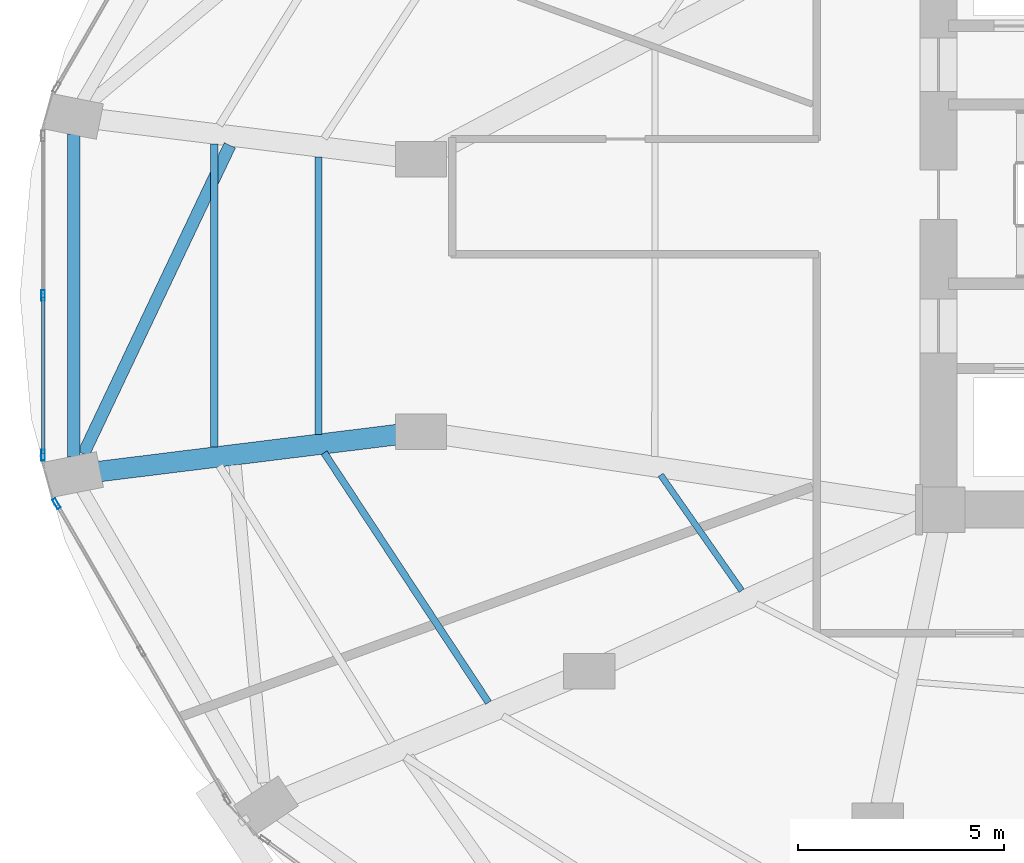
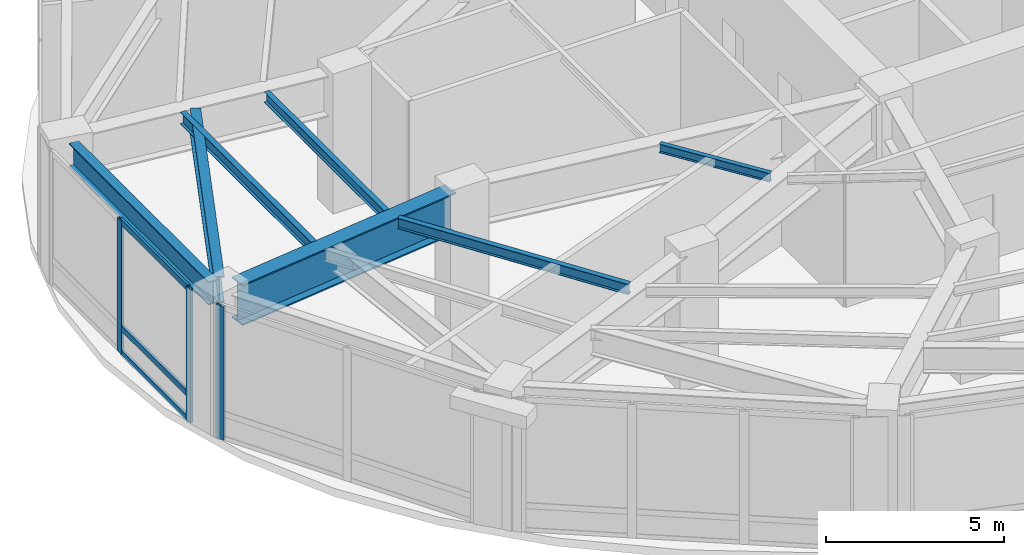
# One storey, part 6 of 24: 7 beams, 6 members, 2 elements without a shape of their own.
"""IFC4 building model written with IfcOpenShell, lengths in metres."""

import ifcopenshell
import ifcopenshell.guid

model = None  # the IFC model being written
_history = None  # IfcOwnerHistory: only IFC2X3 demands one
_inside = {}  # id of a spatial element -> (the spatial element, [elements in it])
_under = {}  # id of a project, library or spatial element -> (it, [spatial elements below it])
_declared = {}  # id of a project -> (the project, [libraries it declares])
_typed = {}  # id of a type object -> (the type object, [elements of that type])
_made_of = {}  # id of a material, layer set ... -> (it, [elements and type objects made of it])


def new_model(schema):
    """Start an empty IFC model of exactly this schema.

    Asked for "IFC4X3", IfcOpenShell would pick the latest addendum, in which some entities
    have other attributes; the version numbers below select the first issue.
    IFC2X3 requires an IfcOwnerHistory on every rooted entity: one is made here for all.
    """
    global model, _history
    if schema == "IFC4X3":
        model = ifcopenshell.file(schema_version=(4, 3, 0, 0))
    else:
        model = ifcopenshell.file(schema=schema)
    _inside.clear()
    _under.clear()
    _declared.clear()
    _typed.clear()
    _made_of.clear()
    _history = None
    if model.schema == "IFC2X3":
        org = make("IfcOrganization", Name="unknown")
        user = make(
            "IfcPersonAndOrganization",
            ThePerson=make("IfcPerson", FamilyName="unknown"),
            TheOrganization=org,
        )
        app = make(
            "IfcApplication",
            ApplicationDeveloper=org,
            Version="unknown",
            ApplicationFullName="unknown",
            ApplicationIdentifier="unknown",
        )
        _history = make(
            "IfcOwnerHistory",
            OwningUser=user,
            OwningApplication=app,
            ChangeAction="ADDED",
            CreationDate=0,
        )
    return model


def make(cls, **values):
    """One entity of the class cls with the attributes given. An attribute that is None is left unset."""
    return model.create_entity(
        cls, **{name: value for name, value in values.items() if value is not None}
    )


def rooted(cls, **values):
    """An entity with a GlobalId (a new one), such as an element, a storey or a relation."""
    return make(cls, GlobalId=ifcopenshell.guid.new(), OwnerHistory=_history, **values)


def si_unit(unit_type, name, prefix=None):
    """IfcSIUnit, for example si_unit("LENGTHUNIT", "METRE", prefix="MILLI")."""
    return make("IfcSIUnit", UnitType=unit_type, Prefix=prefix, Name=name)


def assignment(units):
    """IfcUnitAssignment: the units of a project."""
    return None if units is None else make("IfcUnitAssignment", Units=units)


def point(xyz):
    """IfcCartesianPoint."""
    return None if xyz is None else make("IfcCartesianPoint", Coordinates=xyz)


def direction(xyz):
    """IfcDirection."""
    return None if xyz is None else make("IfcDirection", DirectionRatios=xyz)


def frame(location, z_axis=None, x_axis=None):
    """IfcAxis2Placement3D, a coordinate frame: its origin and axes. An axis left out is left unset."""
    return make(
        "IfcAxis2Placement3D",
        Location=point(location),
        Axis=direction(z_axis),
        RefDirection=direction(x_axis),
    )


def frame_2d(location, x_axis=None):
    """IfcAxis2Placement2D, a coordinate frame in the plane: its origin and x axis."""
    return make(
        "IfcAxis2Placement2D", Location=point(location), RefDirection=direction(x_axis)
    )


def origin():
    """The frame at (0, 0, 0) with its axes left unset."""
    return frame((0.0, 0.0, 0.0))


def origin_2d():
    """The frame at (0, 0) in the plane with its x axis left unset."""
    return frame_2d((0.0, 0.0))


def place(relative_to, where):
    """IfcLocalPlacement: puts the frame where relative to a parent placement (None: the world)."""
    return make(
        "IfcLocalPlacement", PlacementRelTo=relative_to, RelativePlacement=where
    )


def context(
    kind, dimensions, precision=None, world=None, true_north=None, identifier=None
):
    """IfcGeometricRepresentationContext, for example the 3D "Model" context."""
    return make(
        "IfcGeometricRepresentationContext",
        ContextIdentifier=identifier,
        ContextType=kind,
        CoordinateSpaceDimension=dimensions,
        Precision=precision,
        WorldCoordinateSystem=world,
        TrueNorth=true_north,
    )


def subcontext(parent, identifier, kind, view, scale=None):
    """IfcGeometricRepresentationSubContext, for example "Body" below "Model"."""
    return make(
        "IfcGeometricRepresentationSubContext",
        ContextIdentifier=identifier,
        ContextType=kind,
        ParentContext=parent,
        TargetScale=scale,
        TargetView=view,
    )


def project(units=None, contexts=None):
    """IfcProject with its units and contexts."""
    return rooted(
        "IfcProject",
        Name="project",
        RepresentationContexts=contexts,
        UnitsInContext=assignment(units),
    )


def spatial(cls, under=None, at=None, **own):
    """A site, building, storey or space (cls), placed at a placement, below another one or the project."""
    s = rooted(cls, ObjectPlacement=at, **own)
    if under is not None:
        _under.setdefault(under.id(), (under, []))[1].append(s)
    return s


def profile(cls, at=None, kind="AREA", **sizes):
    """A parametric profile (cls). Its sizes go by their IFC names, for example OverallWidth=200.0."""
    return make(cls, ProfileType=kind, Position=at, **sizes)


def hollow_rectangle(**sizes):
    """IfcRectangleHollowProfileDef."""
    return profile("IfcRectangleHollowProfileDef", **sizes)


def i_section(**sizes):
    """IfcIShapeProfileDef."""
    return profile("IfcIShapeProfileDef", **sizes)


def extrude(swept, where, along, depth):
    """IfcExtrudedAreaSolid: the profile swept, set in the frame where, extruded along a direction by depth."""
    return make(
        "IfcExtrudedAreaSolid",
        SweptArea=swept,
        Position=where,
        ExtrudedDirection=direction(along),
        Depth=depth,
    )


def shape(context_of_items, identifier, shape_type, items):
    """IfcShapeRepresentation: the items that make up one representation, for example the "Body"."""
    return make(
        "IfcShapeRepresentation",
        ContextOfItems=context_of_items,
        RepresentationIdentifier=identifier,
        RepresentationType=shape_type,
        Items=items,
    )


def material(Name=None, Category=None):
    """IfcMaterial."""
    return make("IfcMaterial", Name=Name, Category=Category)


def layer(
    of_material, thickness, ventilated=None, Name=None, Category=None, Priority=None
):
    """IfcMaterialLayer: one layer of a wall or slab, of a material (None: an air gap)."""
    return make(
        "IfcMaterialLayer",
        Material=of_material,
        LayerThickness=thickness,
        IsVentilated=ventilated,
        Name=Name,
        Category=Category,
        Priority=Priority,
    )


def layer_set(layers, Name=None):
    """IfcMaterialLayerSet."""
    return make("IfcMaterialLayerSet", MaterialLayers=layers, LayerSetName=Name)


def material_profile(
    of_material, cross_section, Name=None, Category=None, Priority=None
):
    """IfcMaterialProfile: a cross section and its material."""
    return make(
        "IfcMaterialProfile",
        Name=Name,
        Material=of_material,
        Profile=cross_section,
        Priority=Priority,
        Category=Category,
    )


def profile_set(profiles, Name=None, composite=None):
    """IfcMaterialProfileSet."""
    return make(
        "IfcMaterialProfileSet",
        Name=Name,
        MaterialProfiles=profiles,
        CompositeProfile=composite,
    )


def made_of(thing, what):
    """Note that an element or type object is made of a material, layer set ...; save() writes the relation."""
    if what is not None:
        _made_of.setdefault(what.id(), (what, []))[1].append(thing)
    return thing


def type_object(cls, material=None, **own):
    """A type object (cls), such as IfcWallType, which elements share."""
    return made_of(rooted(cls, **own), material)


def element(
    cls,
    number,
    at=None,
    inside=None,
    cuts=None,
    type_object=None,
    material=None,
    context=None,
    identifier="Body",
    shape_type=None,
    held_by="IfcProductDefinitionShape",
    body=None,
    shapes=None,
    **own,
):
    """One element of the class cls, such as IfcWall. Its Tag is "e" and its number.

    at: its placement. inside: the storey or other place that contains it. cuts: it is an
    opening in that element (IfcRelVoidsElement). A single representation is given by context,
    identifier, shape_type and body (its items); several are given by shapes. held_by: the class
    of the entity that holds the representations. save() writes the other relations.
    """
    e = rooted(cls, Tag="e%d" % number, ObjectPlacement=at, **own)
    if body is not None:
        shapes = [shape(context, identifier, shape_type, body)]
    if shapes is not None:
        e.Representation = make(held_by, Representations=shapes)
    if inside is not None:
        _inside.setdefault(inside.id(), (inside, []))[1].append(e)
    if cuts is not None:
        rooted(
            "IfcRelVoidsElement", RelatingBuildingElement=cuts, RelatedOpeningElement=e
        )
    if type_object is not None:
        _typed.setdefault(type_object.id(), (type_object, []))[1].append(e)
    return made_of(e, material)


def aggregate(whole, parts):
    """IfcRelAggregates: a whole, such as a stair, and the parts it consists of."""
    return rooted("IfcRelAggregates", RelatingObject=whole, RelatedObjects=parts)


def save(model, path):
    """Write the relations noted so far, then the file.

    IfcRelAggregates (storeys below a building ...), IfcRelContainedInSpatialStructure (elements
    in a storey), IfcRelDefinesByType, IfcRelAssociatesMaterial and IfcRelDeclares: one each for
    every whole, place, type object, material and project.
    """
    for whole, parts in _under.values():
        aggregate(whole, parts)
    for where, things in _inside.values():
        rooted(
            "IfcRelContainedInSpatialStructure",
            RelatedElements=things,
            RelatingStructure=where,
        )
    for kind, things in _typed.values():
        rooted("IfcRelDefinesByType", RelatedObjects=things, RelatingType=kind)
    for what, things in _made_of.values():
        rooted("IfcRelAssociatesMaterial", RelatedObjects=things, RelatingMaterial=what)
    for by, libraries in _declared.values():
        rooted("IfcRelDeclares", RelatingContext=by, RelatedDefinitions=libraries)
    model.write(path)


model = new_model("IFC4")

# Units and contexts
model_context = context("Model", 3, precision=1e-05, world=origin(), true_north=direction((0.0, 1.0)))
body_context = subcontext(model_context, "Body", "Model", "MODEL_VIEW")
ifc_project = project(units=[si_unit("LENGTHUNIT", "METRE"), si_unit("AREAUNIT", "SQUARE_METRE"), si_unit("VOLUMEUNIT", "CUBIC_METRE"), si_unit("PLANEANGLEUNIT", "RADIAN"), si_unit("MASSUNIT", "GRAM", prefix="KILO")], contexts=[model_context])

# Site, building, storey
site_placement = place(None, origin())
site = spatial("IfcSite", under=ifc_project, at=site_placement, CompositionType="ELEMENT")
building_placement = place(site_placement, origin())
building = spatial("IfcBuilding", under=site, at=building_placement, Name="Lazwardi Medical Tower", CompositionType="ELEMENT")
storey_placement = place(building_placement, frame((0.0, 0.0, 20.39990234375)))
storey = spatial("IfcBuildingStorey", under=building, at=storey_placement, Name="L04", CompositionType="ELEMENT", Elevation=20.39990234375)

# Beams
ifc_material_1 = material(Name="Steel S460", Category="steel")
ifc_material_profile_1 = material_profile(ifc_material_1, i_section(OverallWidth=0.300048828125, OverallDepth=0.89990234375, WebThickness=0.0185546875, FlangeThickness=0.034912109375, at=origin_2d()), Name="HEB 900")
ifc_profile_set_1 = profile_set([ifc_material_profile_1], Name="Steel S460")
beam_type_1 = type_object("IfcBeamType", Name="BM-HB-01", PredefinedType="BEAM", material=ifc_profile_set_1)
beam_1_placement = place(storey_placement, frame((9.094970703125, 29.246337890625, 4.130126953125), z_axis=(-0.428601464893, -0.903493654815, 0.0), x_axis=(0.903493654815, -0.428601464893, 0.0)))
element("IfcBeam", 1, at=beam_1_placement, inside=storey, type_object=beam_type_1, Name="Transfer girder tie HB-01 M12 L04", PredefinedType="BEAM", context=body_context, shape_type="SweptSolid", body=[
    extrude(i_section(OverallWidth=0.300048828125, OverallDepth=0.89990234375, WebThickness=0.0185546875, FlangeThickness=0.034912109375, at=origin_2d()), origin(), (0.0, 0.0, 1.0), 8.290771484375),
])
ifc_material_2 = material(Name="Steel S355", Category="steel")
ifc_material_profile_2 = material_profile(ifc_material_2, i_section(OverallWidth=0.300048828125, OverallDepth=0.800048828125, WebThickness=0.017578125, FlangeThickness=0.032958984375, at=origin_2d()), Name="HEB 800")
ifc_profile_set_2 = profile_set([ifc_material_profile_2], Name="Steel S355")
beam_type_2 = type_object("IfcBeamType", Name="BM-RB-P1", PredefinedType="BEAM", material=ifc_profile_set_2)
beam_2_placement = place(storey_placement, frame((5.301513671875, 29.5205078125, 4.18017578125), z_axis=(0.0, -1.0, 0.0), x_axis=(1.0, 0.0, 0.0)))
element("IfcBeam", 2, at=beam_2_placement, inside=storey, type_object=beam_type_2, Name="Ring beam RB-01 B12 L04", PredefinedType="BEAM", context=body_context, shape_type="SweptSolid", body=[
    extrude(i_section(OverallWidth=0.300048828125, OverallDepth=0.800048828125, WebThickness=0.017578125, FlangeThickness=0.032958984375, at=origin_2d()), origin(), (0.0, 0.0, 1.0), 7.841064453125),
])
ifc_material_profile_3 = material_profile(ifc_material_2, i_section(OverallWidth=0.179931640625, OverallDepth=0.39990234375, WebThickness=0.008544921875, FlangeThickness=0.013427734375, at=origin_2d()), Name="IPE 400")
ifc_profile_set_3 = profile_set([ifc_material_profile_3], Name="Steel S355")
beam_type_3 = type_object("IfcBeamType", Name="BM-SJ-01", PredefinedType="JOIST", material=ifc_profile_set_3)
beam_3_placement = place(storey_placement, frame((8.712890625, 29.283203125, 4.380126953125), z_axis=(0.0, -1.0, 0.0), x_axis=(1.0, 0.0, 0.0)))
element("IfcBeam", 3, at=beam_3_placement, inside=storey, type_object=beam_type_3, Name="Secondary joist SJ-01 RO1 B12 L04", PredefinedType="JOIST", context=body_context, shape_type="SweptSolid", body=[
    extrude(i_section(OverallWidth=0.179931640625, OverallDepth=0.39990234375, WebThickness=0.008544921875, FlangeThickness=0.013427734375, at=origin_2d()), origin(), (0.0, 0.0, 1.0), 7.3662109375),
])
ifc_material_profile_4 = material_profile(ifc_material_2, i_section(OverallWidth=0.169921875, OverallDepth=0.360107421875, WebThickness=0.008056640625, FlangeThickness=0.0126953125, at=origin_2d()), Name="IPE 360")
ifc_profile_set_4 = profile_set([ifc_material_profile_4], Name="Steel S355")
beam_type_4 = type_object("IfcBeamType", Name="BM-SJ-02", PredefinedType="JOIST", material=ifc_profile_set_4)
beam_4_placement = place(storey_placement, frame((11.25048828125, 28.968994140625, 4.400146484375), z_axis=(0.0, -1.0, 0.0), x_axis=(1.0, 0.0, 0.0)))
element("IfcBeam", 4, at=beam_4_placement, inside=storey, type_object=beam_type_4, Name="Secondary joist SJ-02 RO2 B12 L04", PredefinedType="JOIST", context=body_context, shape_type="SweptSolid", body=[
    extrude(i_section(OverallWidth=0.169921875, OverallDepth=0.360107421875, WebThickness=0.008056640625, FlangeThickness=0.0126953125, at=origin_2d()), origin(), (0.0, 0.0, 1.0), 6.73779296875),
])
beam_5_placement = place(storey_placement, frame((11.385009765625, 21.781494140625, 4.400146484375), z_axis=(0.549699277991, -0.835362618135, 0.0), x_axis=(0.835362618135, 0.549699277991, 0.0)))
element("IfcBeam", 5, at=beam_5_placement, inside=storey, type_object=beam_type_4, Name="Secondary joist SJ-02 RO2 B13 L04", PredefinedType="JOIST", context=body_context, shape_type="SweptSolid", body=[
    extrude(i_section(OverallWidth=0.169921875, OverallDepth=0.360107421875, WebThickness=0.008056640625, FlangeThickness=0.0126953125, at=origin_2d()), origin(), (0.0, 0.0, 1.0), 7.258544921875),
])
ifc_material_profile_5 = material_profile(ifc_material_2, i_section(OverallWidth=0.14990234375, OverallDepth=0.300048828125, WebThickness=0.007080078125, FlangeThickness=0.0107421875, at=origin_2d()), Name="IPE 300")
ifc_profile_set_5 = profile_set([ifc_material_profile_5], Name="Steel S355")
beam_type_5 = type_object("IfcBeamType", Name="BM-SJ-03", PredefinedType="JOIST", material=ifc_profile_set_5)
beam_6_placement = place(storey_placement, frame((19.555419921875, 21.243896484375, 4.43017578125), z_axis=(0.573605624755, -0.819131605574, 0.0), x_axis=(0.819131605574, 0.573605624755, 0.0)))
element("IfcBeam", 6, at=beam_6_placement, inside=storey, type_object=beam_type_5, Name="Secondary joist SJ-03 RI1 B13 L04", PredefinedType="JOIST", context=body_context, shape_type="SweptSolid", body=[
    extrude(i_section(OverallWidth=0.14990234375, OverallDepth=0.300048828125, WebThickness=0.007080078125, FlangeThickness=0.0107421875, at=origin_2d()), origin(), (0.0, 0.0, 1.0), 3.430419921875),
])
ifc_material_profile_6 = material_profile(ifc_material_1, i_section(OverallWidth=0.5, OverallDepth=1.39990234375, WebThickness=0.028076171875, FlangeThickness=0.044921875, at=origin_2d()), Name="PG 1400x500")
ifc_profile_set_6 = profile_set([ifc_material_profile_6], Name="Steel S460")
beam_type_6 = type_object("IfcBeamType", Name="BM-TG-01", PredefinedType="BEAM", material=ifc_profile_set_6)
beam_7_placement = place(storey_placement, frame((5.876953125, 21.32080078125, 3.880126953125), z_axis=(0.992421549031, 0.122879896728, 0.0), x_axis=(-0.122879896728, 0.992421549031, 0.0)))
element("IfcBeam", 7, at=beam_7_placement, inside=storey, type_object=beam_type_6, Name="Transfer girder TG-01 M13A L04", PredefinedType="BEAM", context=body_context, shape_type="SweptSolid", body=[
    extrude(i_section(OverallWidth=0.5, OverallDepth=1.39990234375, WebThickness=0.028076171875, FlangeThickness=0.044921875, at=origin_2d()), origin(), (0.0, 0.0, 1.0), 7.52001953125),
])

# Curtain wall, members
ifc_material_3 = material(Name="Anodised bronze aluminium and solar control glazing", Category="aluminium")
ifc_layer = layer(ifc_material_3, 0.219970703125)
ifc_layer_set = layer_set([ifc_layer], Name="Anodised bronze aluminium and solar control glazing")
curtain_wall_type = type_object("IfcCurtainWallType", Name="CW-SYS-01", PredefinedType="NOTDEFINED", material=ifc_layer_set)
curtain_wall_1_placement = place(storey_placement, origin())
curtain_wall_1 = element("IfcCurtainWall", 8, at=curtain_wall_1_placement, inside=storey, type_object=curtain_wall_type, Name="L04 Unitised bronze curtain wall CW-01", PredefinedType="NOTDEFINED")
ifc_material_4 = material(Name="Anodised bronze aluminium", Category="aluminium")
ifc_material_profile_7 = material_profile(ifc_material_4, hollow_rectangle(XDim=0.0849609375, YDim=0.260009765625, WallThickness=0.0048828125, at=origin_2d()), Name="ALU-MULLION 260x85x5")
ifc_profile_set_7 = profile_set([ifc_material_profile_7], Name="Anodised bronze aluminium")
member_type_1 = type_object("IfcMemberType", Name="CW-MUL-02", PredefinedType="MULLION", material=ifc_profile_set_7)
member_1_placement = place(storey_placement, frame((4.560302734375, 25.60009765625, 0.0), z_axis=(0.0, 0.0, 1.0), x_axis=(1.0, 0.0, 0.0)))
member_1 = element("IfcMember", 9, at=member_1_placement, type_object=member_type_1, Name="CW-01 mullion 2", PredefinedType="MULLION", context=body_context, shape_type="SweptSolid", body=[
    extrude(hollow_rectangle(XDim=0.0849609375, YDim=0.260009765625, WallThickness=0.0048828125, at=origin_2d()), origin(), (0.0, 0.0, 1.0), 4.580078125),
])
member_2_placement = place(storey_placement, frame((4.560302734375, 21.723388671875, 0.0), z_axis=(0.0, 0.0, 1.0), x_axis=(1.0, 0.0, 0.0)))
member_2 = element("IfcMember", 10, at=member_2_placement, type_object=member_type_1, Name="CW-01 mullion 3", PredefinedType="MULLION", context=body_context, shape_type="SweptSolid", body=[
    extrude(hollow_rectangle(XDim=0.0849609375, YDim=0.260009765625, WallThickness=0.0048828125, at=origin_2d()), origin(), (0.0, 0.0, 1.0), 4.580078125),
])

# Curtain wall, member
curtain_wall_2_placement = place(storey_placement, origin())
curtain_wall_2 = element("IfcCurtainWall", 11, at=curtain_wall_2_placement, inside=storey, type_object=curtain_wall_type, Name="L04 Unitised bronze curtain wall CW-01", PredefinedType="NOTDEFINED")
member_3_placement = place(storey_placement, frame((4.8857421875, 20.5458984375, 0.0), z_axis=(0.0, 0.0, 1.0), x_axis=(0.866180607783, 0.499731082384, 0.0)))
member_3 = element("IfcMember", 12, at=member_3_placement, type_object=member_type_1, Name="CW-01 mullion 1", PredefinedType="MULLION", context=body_context, shape_type="SweptSolid", body=[
    extrude(hollow_rectangle(XDim=0.0849609375, YDim=0.260009765625, WallThickness=0.0048828125, at=origin_2d()), origin(), (0.0, 0.0, 1.0), 4.580078125),
])
aggregate(curtain_wall_2, [member_3])

# Member
ifc_material_profile_8 = material_profile(ifc_material_4, hollow_rectangle(XDim=0.0849609375, YDim=0.199951171875, WallThickness=0.00439453125, at=origin_2d()), Name="ALU-TRANSOM 200x85x4.5")
ifc_profile_set_8 = profile_set([ifc_material_profile_8], Name="Anodised bronze aluminium")
member_type_2 = type_object("IfcMemberType", Name="CW-TRN-02", PredefinedType="USERDEFINED", material=ifc_profile_set_8)
member_4_placement = place(storey_placement, frame((4.560302734375, 25.5576171875, 0.04248046875), z_axis=(0.0, -1.0, 0.0), x_axis=(1.0, 0.0, 0.0)))
member_4 = element("IfcMember", 13, at=member_4_placement, type_object=member_type_2, Name="CW-01 transom 2.1", ObjectType="TRANSOM", PredefinedType="USERDEFINED", context=body_context, shape_type="SweptSolid", body=[
    extrude(hollow_rectangle(XDim=0.0849609375, YDim=0.199951171875, WallThickness=0.00439453125, at=origin_2d()), origin(), (0.0, 0.0, 1.0), 3.791748046875),
])

member_5_placement = place(storey_placement, frame((4.560302734375, 25.5576171875, 0.900146484375), z_axis=(0.0, -1.0, 0.0), x_axis=(1.0, 0.0, 0.0)))
member_5 = element("IfcMember", 14, at=member_5_placement, type_object=member_type_2, Name="CW-01 transom 2.2", ObjectType="TRANSOM", PredefinedType="USERDEFINED", context=body_context, shape_type="SweptSolid", body=[
    extrude(hollow_rectangle(XDim=0.0849609375, YDim=0.199951171875, WallThickness=0.00439453125, at=origin_2d()), origin(), (0.0, 0.0, 1.0), 3.791748046875),
])

member_6_placement = place(storey_placement, frame((4.560302734375, 25.5576171875, 4.53759765625), z_axis=(0.0, -1.0, 0.0), x_axis=(1.0, 0.0, 0.0)))
member_6 = element("IfcMember", 15, at=member_6_placement, type_object=member_type_2, Name="CW-01 transom 2.3", ObjectType="TRANSOM", PredefinedType="USERDEFINED", context=body_context, shape_type="SweptSolid", body=[
    extrude(hollow_rectangle(XDim=0.0849609375, YDim=0.199951171875, WallThickness=0.00439453125, at=origin_2d()), origin(), (0.0, 0.0, 1.0), 3.791748046875),
])

aggregate(curtain_wall_1, [member_1, member_2, member_4, member_5, member_6])

save(model, "model.ifc")
